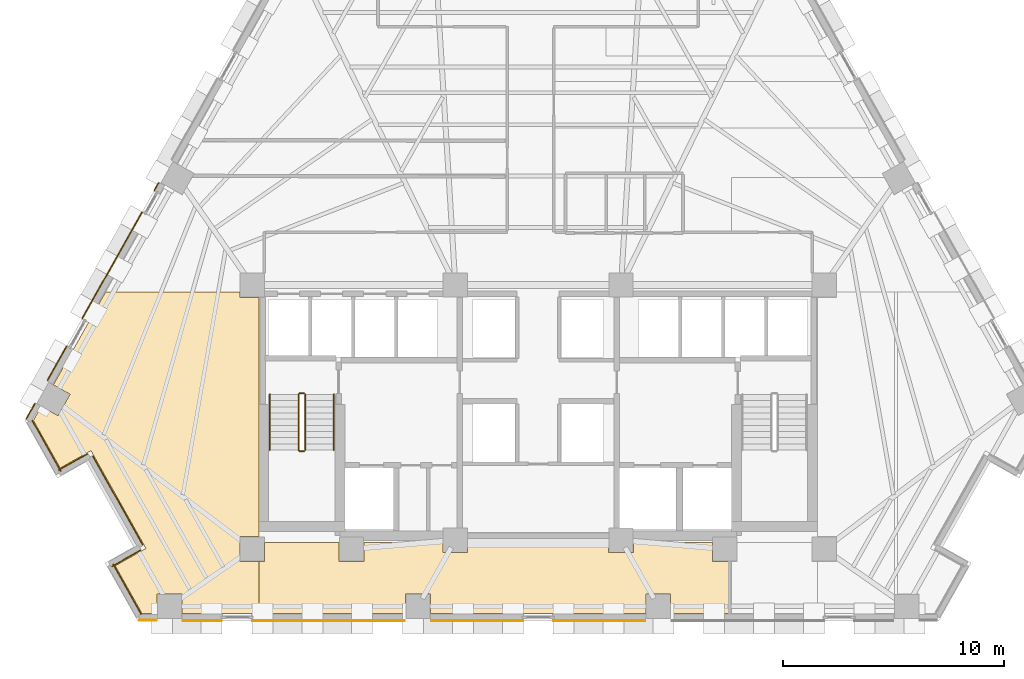
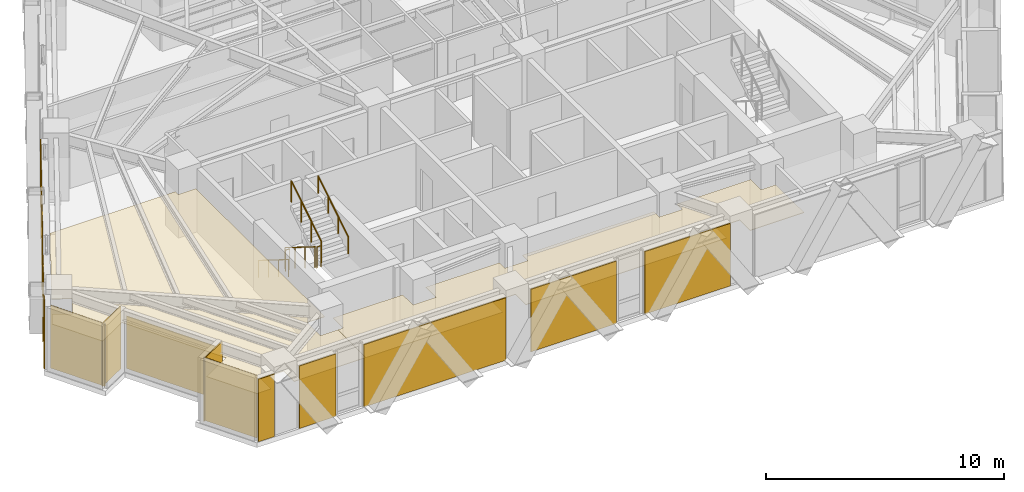
# One storey, part 10 of 13: 16 coverings, 6 railings.
"""IFC4 building model written with IfcOpenShell, lengths in metres."""

import ifcopenshell
import ifcopenshell.guid

model = None  # the IFC model being written
_history = None  # IfcOwnerHistory: only IFC2X3 demands one
_inside = {}  # id of a spatial element -> (the spatial element, [elements in it])
_under = {}  # id of a project, library or spatial element -> (it, [spatial elements below it])
_declared = {}  # id of a project -> (the project, [libraries it declares])
_typed = {}  # id of a type object -> (the type object, [elements of that type])
_made_of = {}  # id of a material, layer set ... -> (it, [elements and type objects made of it])


def new_model(schema):
    """Start an empty IFC model of exactly this schema.

    Asked for "IFC4X3", IfcOpenShell would pick the latest addendum, in which some entities
    have other attributes; the version numbers below select the first issue.
    IFC2X3 requires an IfcOwnerHistory on every rooted entity: one is made here for all.
    """
    global model, _history
    if schema == "IFC4X3":
        model = ifcopenshell.file(schema_version=(4, 3, 0, 0))
    else:
        model = ifcopenshell.file(schema=schema)
    _inside.clear()
    _under.clear()
    _declared.clear()
    _typed.clear()
    _made_of.clear()
    _history = None
    if model.schema == "IFC2X3":
        org = make("IfcOrganization", Name="unknown")
        user = make(
            "IfcPersonAndOrganization",
            ThePerson=make("IfcPerson", FamilyName="unknown"),
            TheOrganization=org,
        )
        app = make(
            "IfcApplication",
            ApplicationDeveloper=org,
            Version="unknown",
            ApplicationFullName="unknown",
            ApplicationIdentifier="unknown",
        )
        _history = make(
            "IfcOwnerHistory",
            OwningUser=user,
            OwningApplication=app,
            ChangeAction="ADDED",
            CreationDate=0,
        )
    return model


def make(cls, **values):
    """One entity of the class cls with the attributes given. An attribute that is None is left unset."""
    return model.create_entity(
        cls, **{name: value for name, value in values.items() if value is not None}
    )


def rooted(cls, **values):
    """An entity with a GlobalId (a new one), such as an element, a storey or a relation."""
    return make(cls, GlobalId=ifcopenshell.guid.new(), OwnerHistory=_history, **values)


def si_unit(unit_type, name, prefix=None):
    """IfcSIUnit, for example si_unit("LENGTHUNIT", "METRE", prefix="MILLI")."""
    return make("IfcSIUnit", UnitType=unit_type, Prefix=prefix, Name=name)


def assignment(units):
    """IfcUnitAssignment: the units of a project."""
    return None if units is None else make("IfcUnitAssignment", Units=units)


def point(xyz):
    """IfcCartesianPoint."""
    return None if xyz is None else make("IfcCartesianPoint", Coordinates=xyz)


def direction(xyz):
    """IfcDirection."""
    return None if xyz is None else make("IfcDirection", DirectionRatios=xyz)


def frame(location, z_axis=None, x_axis=None):
    """IfcAxis2Placement3D, a coordinate frame: its origin and axes. An axis left out is left unset."""
    return make(
        "IfcAxis2Placement3D",
        Location=point(location),
        Axis=direction(z_axis),
        RefDirection=direction(x_axis),
    )


def frame_2d(location, x_axis=None):
    """IfcAxis2Placement2D, a coordinate frame in the plane: its origin and x axis."""
    return make(
        "IfcAxis2Placement2D", Location=point(location), RefDirection=direction(x_axis)
    )


def origin():
    """The frame at (0, 0, 0) with its axes left unset."""
    return frame((0.0, 0.0, 0.0))


def origin_2d():
    """The frame at (0, 0) in the plane with its x axis left unset."""
    return frame_2d((0.0, 0.0))


def place(relative_to, where):
    """IfcLocalPlacement: puts the frame where relative to a parent placement (None: the world)."""
    return make(
        "IfcLocalPlacement", PlacementRelTo=relative_to, RelativePlacement=where
    )


def context(
    kind, dimensions, precision=None, world=None, true_north=None, identifier=None
):
    """IfcGeometricRepresentationContext, for example the 3D "Model" context."""
    return make(
        "IfcGeometricRepresentationContext",
        ContextIdentifier=identifier,
        ContextType=kind,
        CoordinateSpaceDimension=dimensions,
        Precision=precision,
        WorldCoordinateSystem=world,
        TrueNorth=true_north,
    )


def subcontext(parent, identifier, kind, view, scale=None):
    """IfcGeometricRepresentationSubContext, for example "Body" below "Model"."""
    return make(
        "IfcGeometricRepresentationSubContext",
        ContextIdentifier=identifier,
        ContextType=kind,
        ParentContext=parent,
        TargetScale=scale,
        TargetView=view,
    )


def project(units=None, contexts=None):
    """IfcProject with its units and contexts."""
    return rooted(
        "IfcProject",
        Name="project",
        RepresentationContexts=contexts,
        UnitsInContext=assignment(units),
    )


def spatial(cls, under=None, at=None, **own):
    """A site, building, storey or space (cls), placed at a placement, below another one or the project."""
    s = rooted(cls, ObjectPlacement=at, **own)
    if under is not None:
        _under.setdefault(under.id(), (under, []))[1].append(s)
    return s


def polyline(points):
    """IfcPolyline through the points."""
    return make("IfcPolyline", Points=[point(p) for p in points])


def profile(cls, at=None, kind="AREA", **sizes):
    """A parametric profile (cls). Its sizes go by their IFC names, for example OverallWidth=200.0."""
    return make(cls, ProfileType=kind, Position=at, **sizes)


def circle(**sizes):
    """IfcCircleProfileDef."""
    return profile("IfcCircleProfileDef", **sizes)


def outline(outer, holes=None, kind="AREA"):
    """IfcArbitraryClosedProfileDef: a profile drawn as a closed curve; with holes, ...WithVoids."""
    if holes is None:
        return make("IfcArbitraryClosedProfileDef", ProfileType=kind, OuterCurve=outer)
    return make(
        "IfcArbitraryProfileDefWithVoids",
        ProfileType=kind,
        OuterCurve=outer,
        InnerCurves=holes,
    )


def extrude(swept, where, along, depth):
    """IfcExtrudedAreaSolid: the profile swept, set in the frame where, extruded along a direction by depth."""
    return make(
        "IfcExtrudedAreaSolid",
        SweptArea=swept,
        Position=where,
        ExtrudedDirection=direction(along),
        Depth=depth,
    )


def shape(context_of_items, identifier, shape_type, items):
    """IfcShapeRepresentation: the items that make up one representation, for example the "Body"."""
    return make(
        "IfcShapeRepresentation",
        ContextOfItems=context_of_items,
        RepresentationIdentifier=identifier,
        RepresentationType=shape_type,
        Items=items,
    )


def material(Name=None, Category=None):
    """IfcMaterial."""
    return make("IfcMaterial", Name=Name, Category=Category)


def layer(
    of_material, thickness, ventilated=None, Name=None, Category=None, Priority=None
):
    """IfcMaterialLayer: one layer of a wall or slab, of a material (None: an air gap)."""
    return make(
        "IfcMaterialLayer",
        Material=of_material,
        LayerThickness=thickness,
        IsVentilated=ventilated,
        Name=Name,
        Category=Category,
        Priority=Priority,
    )


def layer_set(layers, Name=None):
    """IfcMaterialLayerSet."""
    return make("IfcMaterialLayerSet", MaterialLayers=layers, LayerSetName=Name)


def made_of(thing, what):
    """Note that an element or type object is made of a material, layer set ...; save() writes the relation."""
    if what is not None:
        _made_of.setdefault(what.id(), (what, []))[1].append(thing)
    return thing


def type_object(cls, material=None, **own):
    """A type object (cls), such as IfcWallType, which elements share."""
    return made_of(rooted(cls, **own), material)


def element(
    cls,
    number,
    at=None,
    inside=None,
    cuts=None,
    type_object=None,
    material=None,
    context=None,
    identifier="Body",
    shape_type=None,
    held_by="IfcProductDefinitionShape",
    body=None,
    shapes=None,
    **own,
):
    """One element of the class cls, such as IfcWall. Its Tag is "e" and its number.

    at: its placement. inside: the storey or other place that contains it. cuts: it is an
    opening in that element (IfcRelVoidsElement). A single representation is given by context,
    identifier, shape_type and body (its items); several are given by shapes. held_by: the class
    of the entity that holds the representations. save() writes the other relations.
    """
    e = rooted(cls, Tag="e%d" % number, ObjectPlacement=at, **own)
    if body is not None:
        shapes = [shape(context, identifier, shape_type, body)]
    if shapes is not None:
        e.Representation = make(held_by, Representations=shapes)
    if inside is not None:
        _inside.setdefault(inside.id(), (inside, []))[1].append(e)
    if cuts is not None:
        rooted(
            "IfcRelVoidsElement", RelatingBuildingElement=cuts, RelatedOpeningElement=e
        )
    if type_object is not None:
        _typed.setdefault(type_object.id(), (type_object, []))[1].append(e)
    return made_of(e, material)


def aggregate(whole, parts):
    """IfcRelAggregates: a whole, such as a stair, and the parts it consists of."""
    return rooted("IfcRelAggregates", RelatingObject=whole, RelatedObjects=parts)


def save(model, path):
    """Write the relations noted so far, then the file.

    IfcRelAggregates (storeys below a building ...), IfcRelContainedInSpatialStructure (elements
    in a storey), IfcRelDefinesByType, IfcRelAssociatesMaterial and IfcRelDeclares: one each for
    every whole, place, type object, material and project.
    """
    for whole, parts in _under.values():
        aggregate(whole, parts)
    for where, things in _inside.values():
        rooted(
            "IfcRelContainedInSpatialStructure",
            RelatedElements=things,
            RelatingStructure=where,
        )
    for kind, things in _typed.values():
        rooted("IfcRelDefinesByType", RelatedObjects=things, RelatingType=kind)
    for what, things in _made_of.values():
        rooted("IfcRelAssociatesMaterial", RelatedObjects=things, RelatingMaterial=what)
    for by, libraries in _declared.values():
        rooted("IfcRelDeclares", RelatingContext=by, RelatedDefinitions=libraries)
    model.write(path)


model = new_model("IFC4")

# Units and contexts
model_context = context("Model", 3, precision=1e-05, world=origin(), true_north=direction((0.0, 1.0)))
body_context = subcontext(model_context, "Body", "Model", "MODEL_VIEW")
ifc_project = project(units=[si_unit("LENGTHUNIT", "METRE"), si_unit("AREAUNIT", "SQUARE_METRE"), si_unit("VOLUMEUNIT", "CUBIC_METRE"), si_unit("PLANEANGLEUNIT", "RADIAN"), si_unit("MASSUNIT", "GRAM", prefix="KILO")], contexts=[model_context])

# Site, building, storey
site_placement = place(None, origin())
site = spatial("IfcSite", under=ifc_project, at=site_placement, CompositionType="ELEMENT")
building_placement = place(site_placement, origin())
building = spatial("IfcBuilding", under=site, at=building_placement, Name="Quenlor Broadcast Tower", CompositionType="ELEMENT")
storey_placement = place(building_placement, frame((0.0, 0.0, 83.60009765625)))
storey = spatial("IfcBuildingStorey", under=building, at=storey_placement, Name="L22", CompositionType="ELEMENT", Elevation=83.60009765625)

# Coverings
ifc_material_1 = material(Name="Acoustic Mineral Fibre Board", Category="other")
ifc_layer_1 = layer(ifc_material_1, 0.02490234375)
ifc_layer_set_1 = layer_set([ifc_layer_1], Name="Acoustic Perforated Mineral Tile Ceiling 25")
covering_type_1 = type_object("IfcCoveringType", Name="Acoustic Perforated Mineral Tile Ceiling 25", PredefinedType="CEILING", material=ifc_layer_set_1)
covering_1_placement = place(storey_placement, frame((0.0, 0.0, 2.224853515625)))
element("IfcCovering", 1, at=covering_1_placement, inside=storey, type_object=covering_type_1, Name="L22 Acoustic Ceiling L22-37-2", PredefinedType="CEILING", context=body_context, shape_type="SweptSolid", body=[
    extrude(outline(polyline([(-13.508056640625, -5.35791015625), (-12.64990234375, -5.35791015625), (-12.64990234375, -16.19189453125), (-13.508056640625, -16.19189453125), (-13.508056640625, -17.30810546875), (-12.64990234375, -17.30810546875), (-12.64990234375, -19.659912109375), (-16.134521484375, -19.659912109375), (-16.134521484375, -18.7919921875), (-17.25048828125, -18.7919921875), (-17.25048828125, -19.659912109375), (-17.9453125, -19.659912109375), (-19.15380859375, -17.510986328125), (-17.759521484375, -16.7265625), (-20.25, -12.299072265625), (-21.64453125, -13.08349609375), (-22.85693359375, -10.927978515625), (-22.49853515625, -10.290771484375), (-21.741943359375, -10.71630859375), (-21.19482421875, -9.74365234375), (-21.951416015625, -9.318115234375), (-19.58984375, -5.1201171875), (-13.508056640625, -5.1201171875), (-13.508056640625, -5.35791015625)])), origin(), (0.0, 0.0, 1.0), 0.025146484375),
])
covering_2_placement = place(storey_placement, frame((0.0, 0.0, 2.224853515625)))
element("IfcCovering", 2, at=covering_2_placement, inside=storey, type_object=covering_type_1, Name="L22 Acoustic Ceiling L22-37-3", PredefinedType="CEILING", context=body_context, shape_type="SweptSolid", body=[
    extrude(outline(polyline([(-12.39208984375, -17.30810546875), (-12.39208984375, -16.449951171875), (-9.008056640625, -16.449951171875), (-9.008056640625, -17.30810546875), (-7.89208984375, -17.30810546875), (-7.89208984375, -16.449951171875), (-4.30810546875, -16.449951171875), (-4.30810546875, -16.907958984375), (-3.19189453125, -16.907958984375), (-3.19189453125, -16.449951171875), (3.19189453125, -16.449951171875), (3.19189453125, -16.907958984375), (4.30810546875, -16.907958984375), (4.30810546875, -16.449951171875), (7.89208984375, -16.449951171875), (7.89208984375, -17.30810546875), (8.62646484375, -17.30810546875), (8.62646484375, -19.659912109375), (6.001220703125, -19.659912109375), (6.001220703125, -18.7919921875), (4.88525390625, -18.7919921875), (4.88525390625, -19.659912109375), (-4.88525390625, -19.659912109375), (-4.88525390625, -18.7919921875), (-6.001220703125, -18.7919921875), (-6.001220703125, -19.659912109375), (-12.64990234375, -19.659912109375), (-12.64990234375, -17.30810546875), (-12.39208984375, -17.30810546875)])), origin(), (0.0, 0.0, 1.0), 0.025146484375),
])
ifc_material_2 = material(Name="Architectural Terracotta Ceramic", Category="masonry")
ifc_layer_2 = layer(ifc_material_2, 0.044921875)
ifc_layer_set_2 = layer_set([ifc_layer_2], Name="Fluted Terracotta Rainscreen Cladding Panel")
covering_type_2 = type_object("IfcCoveringType", Name="Fluted Terracotta Rainscreen Cladding Panel", PredefinedType="CLADDING", material=ifc_layer_set_2)
covering_3_placement = place(storey_placement, frame((0.0, 0.0, 0.02001953125)))
element("IfcCovering", 3, at=covering_3_placement, inside=storey, type_object=covering_type_2, Name="L22 Terracotta Rainscreen Cladding L22-SHD-SS1", PredefinedType="CLADDING", context=body_context, shape_type="SweptSolid", body=[
    extrude(outline(polyline([(-17.277587890625, -19.951904296875), (-18.053955078125, -19.951904296875), (-18.053955078125, -19.9970703125), (-17.277587890625, -19.9970703125), (-17.277587890625, -19.951904296875)])), origin(), (0.0, 0.0, 1.0), 3.2099609375),
])
covering_4_placement = place(storey_placement, frame((0.0, 0.0, 0.02001953125)))
element("IfcCovering", 4, at=covering_4_placement, inside=storey, type_object=covering_type_2, Name="L22 Terracotta Rainscreen Cladding L22-SC-SP1", PredefinedType="CLADDING", context=body_context, shape_type="SweptSolid", body=[
    extrude(outline(polyline([(-6.048095703125, -19.971923828125), (-12.94873046875, -19.971923828125), (-12.94873046875, -20.01708984375), (-6.048095703125, -20.01708984375), (-6.048095703125, -19.971923828125)])), origin(), (0.0, 0.0, 1.0), 3.2099609375),
])
covering_5_placement = place(storey_placement, frame((0.0, 0.0, 0.02001953125)))
element("IfcCovering", 5, at=covering_5_placement, inside=storey, type_object=covering_type_2, Name="L22 Terracotta Rainscreen Cladding L22-SC-SP2", PredefinedType="CLADDING", context=body_context, shape_type="SweptSolid", body=[
    extrude(outline(polyline([(-14.32177734375, -19.971923828125), (-16.08740234375, -19.971923828125), (-16.08740234375, -20.01708984375), (-14.32177734375, -20.01708984375), (-14.32177734375, -19.971923828125)])), origin(), (0.0, 0.0, 1.0), 3.2099609375),
])
covering_6_placement = place(storey_placement, frame((0.0, 0.0, 0.02001953125)))
element("IfcCovering", 6, at=covering_6_placement, inside=storey, type_object=covering_type_2, Name="L22 Terracotta Rainscreen Cladding L22-S-SP1", PredefinedType="CLADDING", context=body_context, shape_type="SweptSolid", body=[
    extrude(outline(polyline([(4.84326171875, -19.971923828125), (0.6865234375, -19.971923828125), (0.6865234375, -20.01708984375), (4.84326171875, -20.01708984375), (4.84326171875, -19.971923828125)])), origin(), (0.0, 0.0, 1.0), 3.2099609375),
])
covering_7_placement = place(storey_placement, frame((0.0, 0.0, 0.02001953125)))
element("IfcCovering", 7, at=covering_7_placement, inside=storey, type_object=covering_type_2, Name="L22 Terracotta Rainscreen Cladding L22-S-SP2", PredefinedType="CLADDING", context=body_context, shape_type="SweptSolid", body=[
    extrude(outline(polyline([(-0.6865234375, -19.971923828125), (-4.84326171875, -19.971923828125), (-4.84326171875, -20.01708984375), (-0.6865234375, -20.01708984375), (-0.6865234375, -19.971923828125)])), origin(), (0.0, 0.0, 1.0), 3.2099609375),
])
covering_8_placement = place(storey_placement, frame((0.0, 0.0, 0.02001953125)))
element("IfcCovering", 8, at=covering_8_placement, inside=storey, type_object=covering_type_2, Name="L22 Terracotta Rainscreen Cladding L22-SHD-NWS0", PredefinedType="CLADDING", context=body_context, shape_type="SweptSolid", body=[
    extrude(outline(polyline([(-23.160888671875, -10.873046875), (-22.76611328125, -10.171142578125), (-22.805419921875, -10.149169921875), (-23.2001953125, -10.85107421875), (-23.160888671875, -10.873046875)])), origin(), (0.0, 0.0, 1.0), 3.2099609375),
])
covering_9_placement = place(storey_placement, frame((0.0, 0.0, 0.02001953125)))
element("IfcCovering", 9, at=covering_9_placement, inside=storey, type_object=covering_type_2, Name="L22 Terracotta Rainscreen Cladding L22-NWA-SP1", PredefinedType="CLADDING", context=body_context, shape_type="SweptSolid", body=[
    extrude(outline(polyline([(-22.2001953125, -9.1240234375), (-21.325927734375, -7.56982421875), (-21.364990234375, -7.5478515625), (-22.239501953125, -9.10205078125), (-22.2001953125, -9.1240234375)])), origin(), (0.0, 0.0, 1.0), 3.2099609375),
])
covering_10_placement = place(storey_placement, frame((0.0, 0.0, 0.02001953125)))
element("IfcCovering", 10, at=covering_10_placement, inside=storey, type_object=covering_type_2, Name="L22 Terracotta Rainscreen Cladding L22-NWA-SP2", PredefinedType="CLADDING", context=body_context, shape_type="SweptSolid", body=[
    extrude(outline(polyline([(-20.62744140625, -6.328369140625), (-17.912841796875, -1.502197265625), (-17.951904296875, -1.47998046875), (-20.666748046875, -6.306396484375), (-20.62744140625, -6.328369140625)])), origin(), (0.0, 0.0, 1.0), 3.2099609375),
])
covering_11_placement = place(storey_placement, frame((0.0, 0.0, 0.02001953125)))
element("IfcCovering", 11, at=covering_11_placement, inside=storey, type_object=covering_type_2, Name="L22 Terracotta Rainscreen Cladding L22-NWA-SP3", PredefinedType="CLADDING", context=body_context, shape_type="SweptSolid", body=[
    extrude(outline(polyline([(-17.36474609375, -0.528076171875), (-17.168701171875, -0.179443359375), (-17.2080078125, -0.157470703125), (-17.404052734375, -0.506103515625), (-17.36474609375, -0.528076171875)])), origin(), (0.0, 0.0, 1.0), 3.2099609375),
])
covering_12_placement = place(storey_placement, frame((0.0, 0.0, 0.02001953125)))
element("IfcCovering", 12, at=covering_12_placement, inside=storey, type_object=covering_type_2, Name="L22 Terracotta Rainscreen Cladding L22-CNR-12", PredefinedType="CLADDING", context=body_context, shape_type="SweptSolid", body=[
    extrude(outline(polyline([(-22.931396484375, -10.93408203125), (-21.630126953125, -13.24755859375), (-21.591064453125, -13.2255859375), (-22.892333984375, -10.912109375), (-22.931396484375, -10.93408203125)])), origin(), (0.0, 0.0, 1.0), 3.2099609375),
])
covering_13_placement = place(storey_placement, frame((0.0, 0.0, 0.02001953125)))
element("IfcCovering", 13, at=covering_13_placement, inside=storey, type_object=covering_type_2, Name="L22 Terracotta Rainscreen Cladding L22-CNR-13", PredefinedType="CLADDING", context=body_context, shape_type="SweptSolid", body=[
    extrude(outline(polyline([(-21.70703125, -13.19677734375), (-20.399658203125, -12.461181640625), (-20.421630859375, -12.422119140625), (-21.72900390625, -13.157470703125), (-21.70703125, -13.19677734375)])), origin(), (0.0, 0.0, 1.0), 3.2099609375),
])
covering_14_placement = place(storey_placement, frame((0.0, 0.0, 0.02001953125)))
element("IfcCovering", 14, at=covering_14_placement, inside=storey, type_object=covering_type_2, Name="L22 Terracotta Rainscreen Cladding L22-CNR-14", PredefinedType="CLADDING", context=body_context, shape_type="SweptSolid", body=[
    extrude(outline(polyline([(-20.186767578125, -12.55029296875), (-17.921630859375, -16.576904296875), (-17.88232421875, -16.554931640625), (-20.1474609375, -12.5283203125), (-20.186767578125, -12.55029296875)])), origin(), (0.0, 0.0, 1.0), 2.681640625),
])
covering_15_placement = place(storey_placement, frame((0.0, 0.0, 0.02001953125)))
element("IfcCovering", 15, at=covering_15_placement, inside=storey, type_object=covering_type_2, Name="L22 Terracotta Rainscreen Cladding L22-CNR-15", PredefinedType="CLADDING", context=body_context, shape_type="SweptSolid", body=[
    extrude(outline(polyline([(-18.010498046875, -16.789794921875), (-19.31787109375, -17.525390625), (-19.2958984375, -17.564697265625), (-17.988525390625, -16.8291015625), (-18.010498046875, -16.789794921875)])), origin(), (0.0, 0.0, 1.0), 3.2099609375),
])
covering_16_placement = place(storey_placement, frame((0.0, 0.0, 0.02001953125)))
element("IfcCovering", 16, at=covering_16_placement, inside=storey, type_object=covering_type_2, Name="L22 Terracotta Rainscreen Cladding L22-CNR-16", PredefinedType="CLADDING", context=body_context, shape_type="SweptSolid", body=[
    extrude(outline(polyline([(-19.26708984375, -17.448486328125), (-17.987060546875, -19.72412109375), (-17.947998046875, -19.7021484375), (-19.227783203125, -17.426513671875), (-19.26708984375, -17.448486328125)])), origin(), (0.0, 0.0, 1.0), 3.2099609375),
])

# Railings
ifc_material_3 = material(Name="Anodised Aluminium", Category="aluminium")
railing_type_1 = type_object("IfcRailingType", Name="Stainless Aluminium Wall Handrail 900", PredefinedType="HANDRAIL", material=ifc_material_3)
railing_1_placement = place(storey_placement, frame((-12.14990234375, -9.75, 0.1748046875)))
element("IfcRailing", 17, at=railing_1_placement, inside=storey, type_object=railing_type_1, Name="L22 ST-1 stair handrail 1", PredefinedType="HANDRAIL", context=body_context, shape_type="SweptSolid", body=[
    extrude(circle(Radius=0.02392578125, at=origin_2d()), frame((0.0, 0.0, 0.8759765625), z_axis=(0.0, -0.847970611238, 0.530043245855), x_axis=(1.0, 0.0, 0.0)), (0.0, 0.0, 1.0), 2.971923828125),
    extrude(circle(Radius=0.02099609375, at=origin_2d()), origin(), (0.0, 0.0, 1.0), 0.851806640625),
    extrude(circle(Radius=0.02099609375, at=origin_2d()), frame((0.0, -0.840087890625, 0.525146484375)), (0.0, 0.0, 1.0), 0.851806640625),
    extrude(circle(Radius=0.02099609375, at=origin_2d()), frame((0.0, -1.679931640625, 1.050048828125)), (0.0, 0.0, 1.0), 0.851806640625),
    extrude(circle(Radius=0.02099609375, at=origin_2d()), frame((0.0, -2.52001953125, 1.5751953125)), (0.0, 0.0, 1.0), 0.851806640625),
])
railing_2_placement = place(storey_placement, frame((-9.25, -12.27001953125, 1.9248046875)))
element("IfcRailing", 18, at=railing_2_placement, inside=storey, type_object=railing_type_1, Name="L22 ST-1 stair handrail 2", PredefinedType="HANDRAIL", context=body_context, shape_type="SweptSolid", body=[
    extrude(circle(Radius=0.02392578125, at=origin_2d()), frame((0.0, 0.0, 0.8759765625), z_axis=(0.0, 0.847970611238, 0.530043245855), x_axis=(-1.0, 0.0, 0.0)), (0.0, 0.0, 1.0), 2.971923828125),
    extrude(circle(Radius=0.02099609375, at=origin_2d()), origin(), (0.0, 0.0, 1.0), 0.851806640625),
    extrude(circle(Radius=0.02099609375, at=origin_2d()), frame((0.0, 0.840087890625, 0.525146484375)), (0.0, 0.0, 1.0), 0.851806640625),
    extrude(circle(Radius=0.02099609375, at=origin_2d()), frame((0.0, 1.679931640625, 1.050048828125)), (0.0, 0.0, 1.0), 0.851806640625),
    extrude(circle(Radius=0.02099609375, at=origin_2d()), frame((0.0, 2.52001953125, 1.5751953125)), (0.0, 0.0, 1.0), 0.851806640625),
])
ifc_material_4 = material(Name="Steel S355", Category="steel")
railing_type_2 = type_object("IfcRailingType", Name="Tubular Steel S355 Stair Guardrail 1100", PredefinedType="BALUSTRADE", material=ifc_material_4)
railing_3_placement = place(storey_placement, frame((-10.85009765625, -9.75, 0.1748046875)))
element("IfcRailing", 19, at=railing_3_placement, inside=storey, type_object=railing_type_2, Name="L22 ST-1 stair guard 1", PredefinedType="BALUSTRADE", context=body_context, shape_type="SweptSolid", body=[
    extrude(circle(Radius=0.02392578125, at=origin_2d()), frame((0.0, 0.0, 1.076171875), z_axis=(0.0, -0.847970611238, 0.530043245855), x_axis=(1.0, 0.0, 0.0)), (0.0, 0.0, 1.0), 2.971923828125),
    extrude(circle(Radius=0.02099609375, at=origin_2d()), origin(), (0.0, 0.0, 1.0), 1.052001953125),
    extrude(circle(Radius=0.02099609375, at=origin_2d()), frame((0.0, -0.840087890625, 0.525146484375)), (0.0, 0.0, 1.0), 1.052001953125),
    extrude(circle(Radius=0.02099609375, at=origin_2d()), frame((0.0, -1.679931640625, 1.050048828125)), (0.0, 0.0, 1.0), 1.052001953125),
    extrude(circle(Radius=0.02099609375, at=origin_2d()), frame((0.0, -2.52001953125, 1.5751953125)), (0.0, 0.0, 1.0), 1.052001953125),
])
railing_4_placement = place(storey_placement, frame((-10.800048828125, -12.320068359375, 1.75)))
element("IfcRailing", 20, at=railing_4_placement, inside=storey, type_object=railing_type_2, Name="L22 ST-1 stair guard 2", PredefinedType="BALUSTRADE", context=body_context, shape_type="SweptSolid", body=[
    extrude(circle(Radius=0.02392578125, at=origin_2d()), frame((0.0, 0.0, 1.076171875), z_axis=(1.0, 0.0, 0.0), x_axis=(0.0, 1.0, 0.0)), (0.0, 0.0, 1.0), 0.199951171875),
    extrude(circle(Radius=0.02099609375, at=origin_2d()), origin(), (0.0, 0.0, 1.0), 1.052001953125),
    extrude(circle(Radius=0.02099609375, at=origin_2d()), frame((0.199951171875, 0.0, 0.0)), (0.0, 0.0, 1.0), 1.052001953125),
])
railing_5_placement = place(storey_placement, frame((-10.550048828125, -12.27001953125, 1.9248046875)))
element("IfcRailing", 21, at=railing_5_placement, inside=storey, type_object=railing_type_2, Name="L22 ST-1 stair guard 3", PredefinedType="BALUSTRADE", context=body_context, shape_type="SweptSolid", body=[
    extrude(circle(Radius=0.02392578125, at=origin_2d()), frame((0.0, 0.0, 1.076171875), z_axis=(0.0, 0.847970611238, 0.530043245855), x_axis=(-1.0, 0.0, 0.0)), (0.0, 0.0, 1.0), 2.971923828125),
    extrude(circle(Radius=0.02099609375, at=origin_2d()), origin(), (0.0, 0.0, 1.0), 1.052001953125),
    extrude(circle(Radius=0.02099609375, at=origin_2d()), frame((0.0, 0.840087890625, 0.525146484375)), (0.0, 0.0, 1.0), 1.052001953125),
    extrude(circle(Radius=0.02099609375, at=origin_2d()), frame((0.0, 1.679931640625, 1.050048828125)), (0.0, 0.0, 1.0), 1.052001953125),
    extrude(circle(Radius=0.02099609375, at=origin_2d()), frame((0.0, 2.52001953125, 1.5751953125)), (0.0, 0.0, 1.0), 1.052001953125),
])
railing_6_placement = place(storey_placement, frame((-10.800048828125, -9.699951171875, 0.0)))
element("IfcRailing", 22, at=railing_6_placement, inside=storey, type_object=railing_type_2, Name="L22 ST-1 stair guard 4", PredefinedType="BALUSTRADE", context=body_context, shape_type="SweptSolid", body=[
    extrude(circle(Radius=0.02392578125, at=origin_2d()), frame((0.0, 0.0, 1.076171875), z_axis=(1.0, 0.0, 0.0), x_axis=(0.0, 1.0, 0.0)), (0.0, 0.0, 1.0), 0.199951171875),
    extrude(circle(Radius=0.02099609375, at=origin_2d()), origin(), (0.0, 0.0, 1.0), 1.052001953125),
    extrude(circle(Radius=0.02099609375, at=origin_2d()), frame((0.199951171875, 0.0, 0.0)), (0.0, 0.0, 1.0), 1.052001953125),
])

save(model, "model.ifc")
